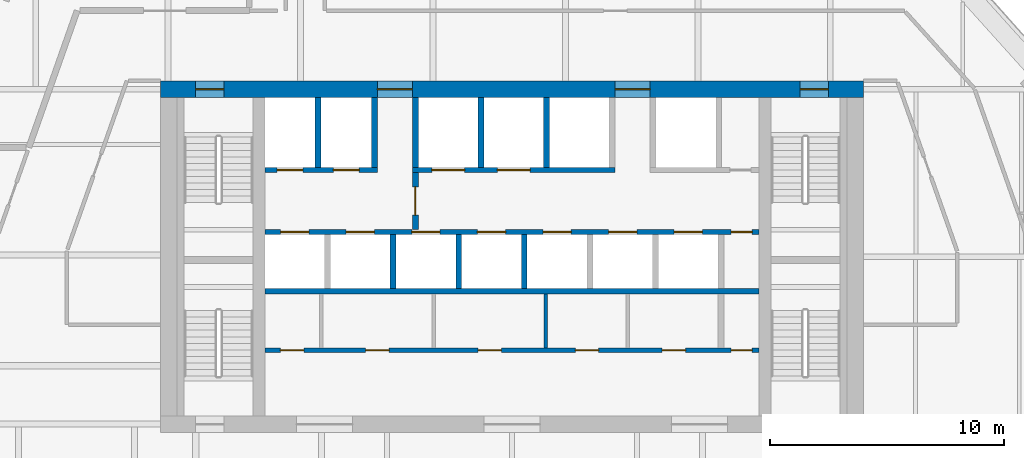
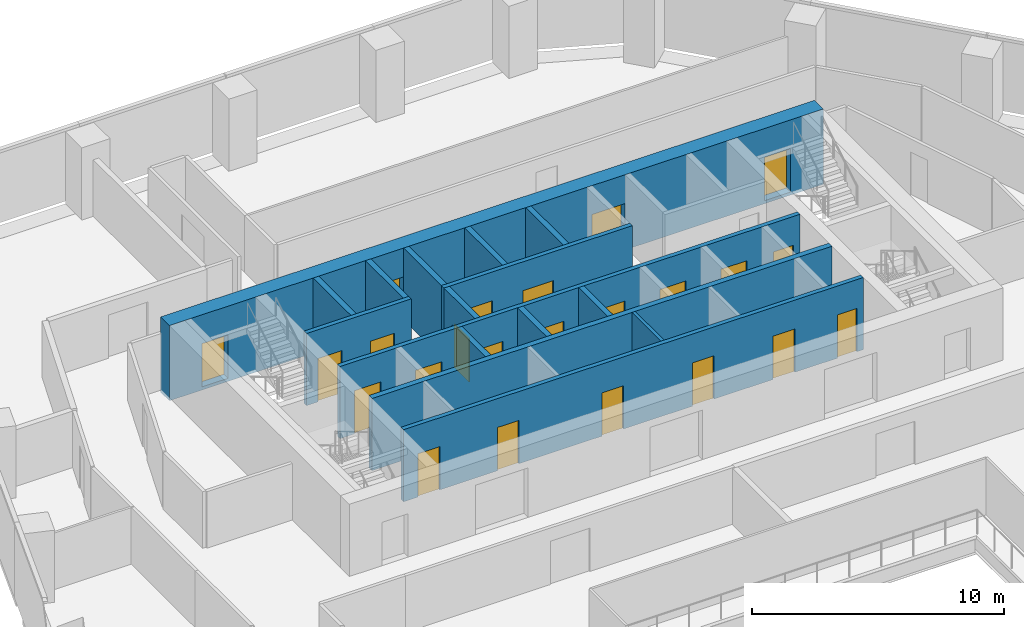
# One storey, part 12 of 17: 23 doors, 16 walls, 23 openings.
"""IFC4 building model written with IfcOpenShell, lengths in metres."""

from ifc_helpers import new_model, si_unit, direction, frame, frame_2d, origin, place, context, subcontext, project, spatial, rectangle, extrude, material, layer, layer_set, type_object, element, fill, save


model = new_model("IFC4")

# Units and contexts
model_context = context("Model", 3, precision=1e-05, world=origin(), true_north=direction((0.0, 1.0)))
body_context = subcontext(model_context, "Body", "Model", "MODEL_VIEW")
ifc_project = project(units=[si_unit("LENGTHUNIT", "METRE"), si_unit("AREAUNIT", "SQUARE_METRE"), si_unit("VOLUMEUNIT", "CUBIC_METRE"), si_unit("PLANEANGLEUNIT", "RADIAN"), si_unit("MASSUNIT", "GRAM", prefix="KILO")], contexts=[model_context])

# Site, building, storey
site_placement = place(None, origin())
site = spatial("IfcSite", under=ifc_project, at=site_placement, CompositionType="ELEMENT")
building_placement = place(site_placement, origin())
building = spatial("IfcBuilding", under=site, at=building_placement, Name="Isthmus Gate Tower", CompositionType="ELEMENT")
storey_placement = place(building_placement, frame((0.0, 0.0, 181.75)))
storey = spatial("IfcBuildingStorey", under=building, at=storey_placement, Name="L45", CompositionType="ELEMENT", Elevation=181.75)

# Wall, opening, door
ifc_material_1 = material(Name="Fire-rated blockwork masonry, 15 MPa", Category="masonry")
ifc_layer_1 = layer(ifc_material_1, 0.25)
ifc_layer_set_1 = layer_set([ifc_layer_1], Name="FIRE-FIGHTING LOBBY WALL 250 90 MIN")
wall_type_1 = type_object("IfcWallType", Name="FIRE-FIGHTING LOBBY WALL 250 90 MIN", PredefinedType="PARTITIONING", material=ifc_layer_set_1)
wall_1_placement = place(storey_placement, frame((-4.125, 8.64990234375, 0.0), z_axis=(0.0, 0.0, 1.0), x_axis=(0.0, 1.0, 0.0)))
wall_1 = element("IfcWall", 1, at=wall_1_placement, inside=storey, type_object=wall_type_1, Name="L45 FIRE-FIGHTING LOBBY WALL 250 90 MIN", PredefinedType="PARTITIONING", context=body_context, shape_type="SweptSolid", body=[
    extrude(rectangle(XDim=2.4501953125, YDim=0.25, at=frame_2d((1.22509765625, 0.0))), origin(), (0.0, 0.0, 1.0), 3.5),
])
opening_1_placement = place(wall_1_placement, frame((0.625, 0.0, 0.0)))
opening_1 = element("IfcOpeningElement", 2, at=opening_1_placement, cuts=wall_1, Name="Opening DC-A12-01", PredefinedType="OPENING", context=body_context, shape_type="SweptSolid", body=[
    extrude(rectangle(XDim=1.199951171875, YDim=2.10009765625, at=frame_2d((0.60009765625, 1.050048828125))), frame((0.0, 0.135009765625, 0.0), z_axis=(0.0, -1.0, 0.0), x_axis=(1.0, 0.0, 0.0)), (0.0, 0.0, 1.0), 0.27001953125),
])
ifc_material_2 = material(Name="Steel door leaf, fire-rated", Category="steel")
door_type_1 = type_object("IfcDoorType", Name="LOBBY FIRE DOOR 1200 X 2100 90 MIN", OperationType="DOUBLE_DOOR_SINGLE_SWING", PredefinedType="DOOR", material=ifc_material_2)
door_1_placement = place(opening_1_placement, origin())
door_1 = element("IfcDoor", 3, at=door_1_placement, inside=storey, type_object=door_type_1, Name="Fire-fighting Lobby Door", OperationType="SINGLE_SWING_LEFT", OverallHeight=2.10009765625, OverallWidth=1.199951171875, PredefinedType="DOOR", context=body_context, shape_type="SweptSolid", body=[
    extrude(rectangle(XDim=1.199951171875, YDim=2.10009765625, at=frame_2d((0.60009765625, 1.050048828125))), frame((0.0, 0.02490234375, 0.0), z_axis=(0.0, -1.0, 0.0), x_axis=(1.0, 0.0, 0.0)), (0.0, 0.0, 1.0), 0.050048828125),
])
fill(opening_1, door_1)

# Wall, openings, doors
ifc_material_3 = material(Name="Concrete f'c 60 MPa", Category="concrete")
ifc_layer_2 = layer(ifc_material_3, 0.699951171875)
ifc_layer_set_2 = layer_set([ifc_layer_2], Name="RC CORE WALL 700 F'C 60")
wall_type_2 = type_object("IfcWallType", Name="RC CORE WALL 700 F'C 60", PredefinedType="SOLIDWALL", material=ifc_layer_set_2)
wall_2_placement = place(storey_placement, frame((-15.0, 14.64990234375, -0.14990234375), z_axis=(0.0, 0.0, 1.0), x_axis=(1.0, 0.0, 0.0)))
wall_2 = element("IfcWall", 4, at=wall_2_placement, inside=storey, type_object=wall_type_2, Name="str-corewall-L45-N", PredefinedType="SOLIDWALL", context=body_context, shape_type="SweptSolid", body=[
    extrude(rectangle(XDim=30.0, YDim=0.699951171875, at=frame_2d((15.0, 0.0))), origin(), (0.0, 0.0, 1.0), 3.64990234375),
])
opening_2_placement = place(wall_2_placement, frame((9.25, 0.0, 0.14990234375)))
opening_2 = element("IfcOpeningElement", 5, at=opening_2_placement, cuts=wall_2, Name="Opening DC-A12-13", PredefinedType="OPENING", context=body_context, shape_type="SweptSolid", body=[
    extrude(rectangle(XDim=1.5, YDim=2.10009765625, at=frame_2d((0.75, 1.050048828125))), frame((0.0, 0.35986328125, 0.0), z_axis=(0.0, -1.0, 0.0), x_axis=(1.0, 0.0, 0.0)), (0.0, 0.0, 1.0), 0.719970703125),
])
opening_3_placement = place(wall_2_placement, frame((19.39990234375, 0.0, 0.14990234375)))
opening_3 = element("IfcOpeningElement", 6, at=opening_3_placement, cuts=wall_2, Name="Opening DC-A12-14", PredefinedType="OPENING", context=body_context, shape_type="SweptSolid", body=[
    extrude(rectangle(XDim=1.5, YDim=2.10009765625, at=frame_2d((0.75, 1.050048828125))), frame((0.0, 0.35986328125, 0.0), z_axis=(0.0, -1.0, 0.0), x_axis=(1.0, 0.0, 0.0)), (0.0, 0.0, 1.0), 0.719970703125),
])
opening_4_placement = place(wall_2_placement, frame((1.5, 0.0, 0.14990234375)))
opening_4 = element("IfcOpeningElement", 7, at=opening_4_placement, cuts=wall_2, Name="Opening DC-A12-15", PredefinedType="OPENING", context=body_context, shape_type="SweptSolid", body=[
    extrude(rectangle(XDim=1.199951171875, YDim=2.10009765625, at=frame_2d((0.60009765625, 1.050048828125))), frame((0.0, 0.35986328125, 0.0), z_axis=(0.0, -1.0, 0.0), x_axis=(1.0, 0.0, 0.0)), (0.0, 0.0, 1.0), 0.719970703125),
])
opening_5_placement = place(wall_2_placement, frame((27.300048828125, 0.0, 0.14990234375)))
opening_5 = element("IfcOpeningElement", 8, at=opening_5_placement, cuts=wall_2, Name="Opening DC-A12-16", PredefinedType="OPENING", context=body_context, shape_type="SweptSolid", body=[
    extrude(rectangle(XDim=1.199951171875, YDim=2.10009765625, at=frame_2d((0.60009765625, 1.050048828125))), frame((0.0, 0.35986328125, 0.0), z_axis=(0.0, -1.0, 0.0), x_axis=(1.0, 0.0, 0.0)), (0.0, 0.0, 1.0), 0.719970703125),
])
ifc_material_4 = material(Name="Steel door leaf, fire-rated", Category="steel")
door_type_2 = type_object("IfcDoorType", Name="LOBBY FIRE DOOR 1500 X 2100 60 MIN", OperationType="DOUBLE_DOOR_SINGLE_SWING", PredefinedType="DOOR", material=ifc_material_4)
door_2_placement = place(opening_3_placement, origin())
door_2 = element("IfcDoor", 9, at=door_2_placement, inside=storey, type_object=door_type_2, Name="Lobby Door PN-E", OperationType="DOUBLE_DOOR_SINGLE_SWING", OverallHeight=2.10009765625, OverallWidth=1.5, PredefinedType="DOOR", context=body_context, shape_type="SweptSolid", body=[
    extrude(rectangle(XDim=1.5, YDim=2.10009765625, at=frame_2d((0.75, 1.050048828125))), frame((0.0, 0.02490234375, 0.0), z_axis=(0.0, -1.0, 0.0), x_axis=(1.0, 0.0, 0.0)), (0.0, 0.0, 1.0), 0.050048828125),
])
fill(opening_3, door_2)
ifc_material_5 = material(Name="Steel door leaf, fire-rated", Category="steel")
door_type_3 = type_object("IfcDoorType", Name="LOBBY FIRE DOOR 1500 X 2100 90 MIN", OperationType="DOUBLE_DOOR_SINGLE_SWING", PredefinedType="DOOR", material=ifc_material_5)
door_3_placement = place(opening_2_placement, origin())
door_3 = element("IfcDoor", 10, at=door_3_placement, inside=storey, type_object=door_type_3, Name="Lobby Door PN-W", OperationType="DOUBLE_DOOR_SINGLE_SWING", OverallHeight=2.10009765625, OverallWidth=1.5, PredefinedType="DOOR", context=body_context, shape_type="SweptSolid", body=[
    extrude(rectangle(XDim=1.5, YDim=2.10009765625, at=frame_2d((0.75, 1.050048828125))), frame((0.0, 0.02490234375, 0.0), z_axis=(0.0, -1.0, 0.0), x_axis=(1.0, 0.0, 0.0)), (0.0, 0.0, 1.0), 0.050048828125),
])
fill(opening_2, door_3)
ifc_material_6 = material(Name="Steel door leaf, fire-rated", Category="steel")
door_type_4 = type_object("IfcDoorType", Name="STAIR FIRE DOOR 1200 X 2100 90 MIN", OperationType="SINGLE_SWING_LEFT", PredefinedType="DOOR", material=ifc_material_6)
door_4_placement = place(opening_4_placement, origin())
door_4 = element("IfcDoor", 11, at=door_4_placement, inside=storey, type_object=door_type_4, Name="Exit Stair 1 Door", OperationType="SINGLE_SWING_RIGHT", OverallHeight=2.10009765625, OverallWidth=1.199951171875, PredefinedType="DOOR", context=body_context, shape_type="SweptSolid", body=[
    extrude(rectangle(XDim=1.199951171875, YDim=2.10009765625, at=frame_2d((0.60009765625, 1.050048828125))), frame((0.0, 0.02490234375, 0.0), z_axis=(0.0, -1.0, 0.0), x_axis=(1.0, 0.0, 0.0)), (0.0, 0.0, 1.0), 0.050048828125),
])
fill(opening_4, door_4)
door_5_placement = place(opening_5_placement, origin())
door_5 = element("IfcDoor", 12, at=door_5_placement, inside=storey, type_object=door_type_4, Name="Exit Stair 2 Door", OperationType="SINGLE_SWING_LEFT", OverallHeight=2.10009765625, OverallWidth=1.199951171875, PredefinedType="DOOR", context=body_context, shape_type="SweptSolid", body=[
    extrude(rectangle(XDim=1.199951171875, YDim=2.10009765625, at=frame_2d((0.60009765625, 1.050048828125))), frame((0.0, 0.02490234375, 0.0), z_axis=(0.0, -1.0, 0.0), x_axis=(1.0, 0.0, 0.0)), (0.0, 0.0, 1.0), 0.050048828125),
])
fill(opening_5, door_5)

# Wall
ifc_material_7 = material(Name="Gypsum board on steel studs, fire-rated", Category="steel")
ifc_layer_3 = layer(ifc_material_7, 0.14990234375)
ifc_layer_set_3 = layer_set([ifc_layer_3], Name="ROOM PARTITION 150 60 MIN")
wall_type_3 = type_object("IfcWallType", Name="ROOM PARTITION 150 60 MIN", PredefinedType="PARTITIONING", material=ifc_layer_set_3)
wall_3_placement = place(storey_placement, frame((1.449951171875, 3.60009765625, 0.0), z_axis=(0.0, 0.0, 1.0), x_axis=(0.0, 1.0, 0.0)))
element("IfcWall", 13, at=wall_3_placement, inside=storey, type_object=wall_type_3, Name="L45 ROOM PARTITION 150 60 MIN", PredefinedType="PARTITIONING", context=body_context, shape_type="SweptSolid", body=[
    extrude(rectangle(XDim=2.2998046875, YDim=0.14990234375, at=frame_2d((1.14990234375, 0.0))), origin(), (0.0, 0.0, 1.0), 3.5),
])

# Wall, openings, doors
ifc_material_8 = material(Name="Fire-rated blockwork masonry, 15 MPa", Category="masonry")
ifc_layer_4 = layer(ifc_material_8, 0.199951171875)
ifc_layer_set_4 = layer_set([ifc_layer_4], Name="SHAFT FRONT WALL 200 120 MIN")
wall_type_4 = type_object("IfcWallType", Name="SHAFT FRONT WALL 200 120 MIN", PredefinedType="PARTITIONING", material=ifc_layer_set_4)
wall_4_placement = place(storey_placement, frame((-10.550048828125, 3.5, 0.0), z_axis=(0.0, 0.0, 1.0), x_axis=(1.0, 0.0, 0.0)))
wall_4 = element("IfcWall", 14, at=wall_4_placement, inside=storey, type_object=wall_type_4, Name="L45 SHAFT FRONT WALL 200 120 MIN", PredefinedType="PARTITIONING", context=body_context, shape_type="SweptSolid", body=[
    extrude(rectangle(XDim=21.10009765625, YDim=0.199951171875, at=frame_2d((10.550048828125, 0.0))), origin(), (0.0, 0.0, 1.0), 3.5),
])
opening_6_placement = place(wall_4_placement, frame((0.66259765625, 0.0, 0.0)))
opening_6 = element("IfcOpeningElement", 15, at=opening_6_placement, cuts=wall_4, Name="Opening DC-A12-02", PredefinedType="OPENING", context=body_context, shape_type="SweptSolid", body=[
    extrude(rectangle(XDim=1.0, YDim=2.10009765625, at=frame_2d((0.5, 1.050048828125))), frame((0.0, 0.10986328125, 0.0), z_axis=(0.0, -1.0, 0.0), x_axis=(1.0, 0.0, 0.0)), (0.0, 0.0, 1.0), 0.219970703125),
])
opening_7_placement = place(wall_4_placement, frame((4.300048828125, 0.0, 0.0)))
opening_7 = element("IfcOpeningElement", 16, at=opening_7_placement, cuts=wall_4, Name="Opening DC-A12-03", PredefinedType="OPENING", context=body_context, shape_type="SweptSolid", body=[
    extrude(rectangle(XDim=1.0, YDim=2.10009765625, at=frame_2d((0.5, 1.050048828125))), frame((0.0, 0.10986328125, 0.0), z_axis=(0.0, -1.0, 0.0), x_axis=(1.0, 0.0, 0.0)), (0.0, 0.0, 1.0), 0.219970703125),
])
opening_8_placement = place(wall_4_placement, frame((9.10009765625, 0.0, 0.0)))
opening_8 = element("IfcOpeningElement", 17, at=opening_8_placement, cuts=wall_4, Name="Opening DC-A12-04", PredefinedType="OPENING", context=body_context, shape_type="SweptSolid", body=[
    extrude(rectangle(XDim=1.0, YDim=2.10009765625, at=frame_2d((0.5, 1.050048828125))), frame((0.0, 0.10986328125, 0.0), z_axis=(0.0, -1.0, 0.0), x_axis=(1.0, 0.0, 0.0)), (0.0, 0.0, 1.0), 0.219970703125),
])
opening_9_placement = place(wall_4_placement, frame((13.25, 0.0, 0.0)))
opening_9 = element("IfcOpeningElement", 18, at=opening_9_placement, cuts=wall_4, Name="Opening DC-A12-05", PredefinedType="OPENING", context=body_context, shape_type="SweptSolid", body=[
    extrude(rectangle(XDim=1.0, YDim=2.10009765625, at=frame_2d((0.5, 1.050048828125))), frame((0.0, 0.10986328125, 0.0), z_axis=(0.0, -1.0, 0.0), x_axis=(1.0, 0.0, 0.0)), (0.0, 0.0, 1.0), 0.219970703125),
])
opening_10_placement = place(wall_4_placement, frame((16.96240234375, 0.0, 0.0)))
opening_10 = element("IfcOpeningElement", 19, at=opening_10_placement, cuts=wall_4, Name="Opening DC-A12-06", PredefinedType="OPENING", context=body_context, shape_type="SweptSolid", body=[
    extrude(rectangle(XDim=1.0, YDim=2.10009765625, at=frame_2d((0.5, 1.050048828125))), frame((0.0, 0.10986328125, 0.0), z_axis=(0.0, -1.0, 0.0), x_axis=(1.0, 0.0, 0.0)), (0.0, 0.0, 1.0), 0.219970703125),
])
opening_11_placement = place(wall_4_placement, frame((19.89990234375, 0.0, 0.0)))
opening_11 = element("IfcOpeningElement", 20, at=opening_11_placement, cuts=wall_4, Name="Opening DC-A12-07", PredefinedType="OPENING", context=body_context, shape_type="SweptSolid", body=[
    extrude(rectangle(XDim=0.89990234375, YDim=2.10009765625, at=frame_2d((0.449951171875, 1.050048828125))), frame((0.0, 0.10986328125, 0.0), z_axis=(0.0, -1.0, 0.0), x_axis=(1.0, 0.0, 0.0)), (0.0, 0.0, 1.0), 0.219970703125),
])
ifc_material_9 = material(Name="Steel door leaf, fire-rated", Category="steel")
door_type_5 = type_object("IfcDoorType", Name="FIRE DOOR 1000 X 2100 60 MIN", OperationType="SINGLE_SWING_LEFT", PredefinedType="DOOR", material=ifc_material_9)
door_6_placement = place(opening_6_placement, origin())
door_6 = element("IfcDoor", 21, at=door_6_placement, inside=storey, type_object=door_type_5, Name="Accessible WC Door", OperationType="SINGLE_SWING_LEFT", OverallHeight=2.10009765625, OverallWidth=1.0, PredefinedType="DOOR", context=body_context, shape_type="SweptSolid", body=[
    extrude(rectangle(XDim=1.0, YDim=2.10009765625, at=frame_2d((0.5, 1.050048828125))), frame((0.0, 0.02490234375, 0.0), z_axis=(0.0, -1.0, 0.0), x_axis=(1.0, 0.0, 0.0)), (0.0, 0.0, 1.0), 0.050048828125),
])
fill(opening_6, door_6)
door_7_placement = place(opening_7_placement, origin())
door_7 = element("IfcDoor", 22, at=door_7_placement, inside=storey, type_object=door_type_5, Name="WC Women Door", OperationType="SINGLE_SWING_RIGHT", OverallHeight=2.10009765625, OverallWidth=1.0, PredefinedType="DOOR", context=body_context, shape_type="SweptSolid", body=[
    extrude(rectangle(XDim=1.0, YDim=2.10009765625, at=frame_2d((0.5, 1.050048828125))), frame((0.0, 0.02490234375, 0.0), z_axis=(0.0, -1.0, 0.0), x_axis=(1.0, 0.0, 0.0)), (0.0, 0.0, 1.0), 0.050048828125),
])
fill(opening_7, door_7)
door_8_placement = place(opening_8_placement, origin())
door_8 = element("IfcDoor", 23, at=door_8_placement, inside=storey, type_object=door_type_5, Name="WC Men Door", OperationType="SINGLE_SWING_LEFT", OverallHeight=2.10009765625, OverallWidth=1.0, PredefinedType="DOOR", context=body_context, shape_type="SweptSolid", body=[
    extrude(rectangle(XDim=1.0, YDim=2.10009765625, at=frame_2d((0.5, 1.050048828125))), frame((0.0, 0.02490234375, 0.0), z_axis=(0.0, -1.0, 0.0), x_axis=(1.0, 0.0, 0.0)), (0.0, 0.0, 1.0), 0.050048828125),
])
fill(opening_8, door_8)
door_9_placement = place(opening_9_placement, origin())
door_9 = element("IfcDoor", 24, at=door_9_placement, inside=storey, type_object=door_type_5, Name="Staff Room Door", OperationType="SINGLE_SWING_RIGHT", OverallHeight=2.10009765625, OverallWidth=1.0, PredefinedType="DOOR", context=body_context, shape_type="SweptSolid", body=[
    extrude(rectangle(XDim=1.0, YDim=2.10009765625, at=frame_2d((0.5, 1.050048828125))), frame((0.0, 0.02490234375, 0.0), z_axis=(0.0, -1.0, 0.0), x_axis=(1.0, 0.0, 0.0)), (0.0, 0.0, 1.0), 0.050048828125),
])
fill(opening_9, door_9)
door_10_placement = place(opening_10_placement, origin())
door_10 = element("IfcDoor", 25, at=door_10_placement, inside=storey, type_object=door_type_5, Name="Stationery Store Door", OperationType="SINGLE_SWING_LEFT", OverallHeight=2.10009765625, OverallWidth=1.0, PredefinedType="DOOR", context=body_context, shape_type="SweptSolid", body=[
    extrude(rectangle(XDim=1.0, YDim=2.10009765625, at=frame_2d((0.5, 1.050048828125))), frame((0.0, 0.02490234375, 0.0), z_axis=(0.0, -1.0, 0.0), x_axis=(1.0, 0.0, 0.0)), (0.0, 0.0, 1.0), 0.050048828125),
])
fill(opening_10, door_10)
ifc_material_10 = material(Name="Steel door leaf, fire-rated", Category="steel")
door_type_6 = type_object("IfcDoorType", Name="RISER FIRE DOOR 900 X 2100 90 MIN", OperationType="SINGLE_SWING_LEFT", PredefinedType="DOOR", material=ifc_material_10)
door_11_placement = place(opening_11_placement, origin())
door_11 = element("IfcDoor", 26, at=door_11_placement, inside=storey, type_object=door_type_6, Name="Riser Door", OperationType="SINGLE_SWING_RIGHT", OverallHeight=2.10009765625, OverallWidth=0.89990234375, PredefinedType="DOOR", context=body_context, shape_type="SweptSolid", body=[
    extrude(rectangle(XDim=0.89990234375, YDim=2.10009765625, at=frame_2d((0.449951171875, 1.050048828125))), frame((0.0, 0.02490234375, 0.0), z_axis=(0.0, -1.0, 0.0), x_axis=(1.0, 0.0, 0.0)), (0.0, 0.0, 1.0), 0.050048828125),
])
fill(opening_11, door_11)

wall_5_placement = place(storey_placement, frame((-10.550048828125, 8.550048828125, 0.0), z_axis=(0.0, 0.0, 1.0), x_axis=(1.0, 0.0, 0.0)))
wall_5 = element("IfcWall", 27, at=wall_5_placement, inside=storey, type_object=wall_type_4, Name="L45 SHAFT FRONT WALL 200 120 MIN", PredefinedType="PARTITIONING", context=body_context, shape_type="SweptSolid", body=[
    extrude(rectangle(XDim=21.10009765625, YDim=0.199951171875, at=frame_2d((10.550048828125, 0.0))), origin(), (0.0, 0.0, 1.0), 3.5),
])
opening_12_placement = place(wall_5_placement, frame((0.675048828125, 0.0, 0.0)))
opening_12 = element("IfcOpeningElement", 28, at=opening_12_placement, cuts=wall_5, Name="Opening LD-LB1", PredefinedType="OPENING", context=body_context, shape_type="SweptSolid", body=[
    extrude(rectangle(XDim=1.199951171875, YDim=2.10009765625, at=frame_2d((0.60009765625, 1.050048828125))), frame((0.0, 0.10986328125, 0.0), z_axis=(0.0, -1.0, 0.0), x_axis=(1.0, 0.0, 0.0)), (0.0, 0.0, 1.0), 0.219970703125),
])
opening_13_placement = place(wall_5_placement, frame((3.47509765625, 0.0, 0.0)))
opening_13 = element("IfcOpeningElement", 29, at=opening_13_placement, cuts=wall_5, Name="Opening LD-LB2", PredefinedType="OPENING", context=body_context, shape_type="SweptSolid", body=[
    extrude(rectangle(XDim=1.199951171875, YDim=2.10009765625, at=frame_2d((0.60009765625, 1.050048828125))), frame((0.0, 0.10986328125, 0.0), z_axis=(0.0, -1.0, 0.0), x_axis=(1.0, 0.0, 0.0)), (0.0, 0.0, 1.0), 0.219970703125),
])
opening_14_placement = place(wall_5_placement, frame((6.27490234375, 0.0, 0.0)))
opening_14 = element("IfcOpeningElement", 30, at=opening_14_placement, cuts=wall_5, Name="Opening LD-LB3", PredefinedType="OPENING", context=body_context, shape_type="SweptSolid", body=[
    extrude(rectangle(XDim=1.199951171875, YDim=2.10009765625, at=frame_2d((0.60009765625, 1.050048828125))), frame((0.0, 0.10986328125, 0.0), z_axis=(0.0, -1.0, 0.0), x_axis=(1.0, 0.0, 0.0)), (0.0, 0.0, 1.0), 0.219970703125),
])
opening_15_placement = place(wall_5_placement, frame((9.074951171875, 0.0, 0.0)))
opening_15 = element("IfcOpeningElement", 31, at=opening_15_placement, cuts=wall_5, Name="Opening LD-LB4", PredefinedType="OPENING", context=body_context, shape_type="SweptSolid", body=[
    extrude(rectangle(XDim=1.199951171875, YDim=2.10009765625, at=frame_2d((0.60009765625, 1.050048828125))), frame((0.0, 0.10986328125, 0.0), z_axis=(0.0, -1.0, 0.0), x_axis=(1.0, 0.0, 0.0)), (0.0, 0.0, 1.0), 0.219970703125),
])
opening_16_placement = place(wall_5_placement, frame((11.875, 0.0, 0.0)))
opening_16 = element("IfcOpeningElement", 32, at=opening_16_placement, cuts=wall_5, Name="Opening LD-LB5", PredefinedType="OPENING", context=body_context, shape_type="SweptSolid", body=[
    extrude(rectangle(XDim=1.199951171875, YDim=2.10009765625, at=frame_2d((0.60009765625, 1.050048828125))), frame((0.0, 0.10986328125, 0.0), z_axis=(0.0, -1.0, 0.0), x_axis=(1.0, 0.0, 0.0)), (0.0, 0.0, 1.0), 0.219970703125),
])
opening_17_placement = place(wall_5_placement, frame((14.675048828125, 0.0, 0.0)))
opening_17 = element("IfcOpeningElement", 33, at=opening_17_placement, cuts=wall_5, Name="Opening LD-LB6", PredefinedType="OPENING", context=body_context, shape_type="SweptSolid", body=[
    extrude(rectangle(XDim=1.199951171875, YDim=2.10009765625, at=frame_2d((0.60009765625, 1.050048828125))), frame((0.0, 0.10986328125, 0.0), z_axis=(0.0, -1.0, 0.0), x_axis=(1.0, 0.0, 0.0)), (0.0, 0.0, 1.0), 0.219970703125),
])
opening_18_placement = place(wall_5_placement, frame((17.47509765625, 0.0, 0.0)))
opening_18 = element("IfcOpeningElement", 34, at=opening_18_placement, cuts=wall_5, Name="Opening LD-LB7", PredefinedType="OPENING", context=body_context, shape_type="SweptSolid", body=[
    extrude(rectangle(XDim=1.199951171875, YDim=2.10009765625, at=frame_2d((0.60009765625, 1.050048828125))), frame((0.0, 0.10986328125, 0.0), z_axis=(0.0, -1.0, 0.0), x_axis=(1.0, 0.0, 0.0)), (0.0, 0.0, 1.0), 0.219970703125),
])
opening_19_placement = place(wall_5_placement, frame((19.89990234375, 0.0, 0.0)))
opening_19 = element("IfcOpeningElement", 35, at=opening_19_placement, cuts=wall_5, Name="Opening DC-A12-08", PredefinedType="OPENING", context=body_context, shape_type="SweptSolid", body=[
    extrude(rectangle(XDim=0.89990234375, YDim=2.10009765625, at=frame_2d((0.449951171875, 1.050048828125))), frame((0.0, 0.10986328125, 0.0), z_axis=(0.0, -1.0, 0.0), x_axis=(1.0, 0.0, 0.0)), (0.0, 0.0, 1.0), 0.219970703125),
])
ifc_material_11 = material(Name="Stainless steel sliding leaf", Category="steel")
door_type_7 = type_object("IfcDoorType", Name="LIFT LANDING FIRE DOOR 1200 X 2100 90 MIN", OperationType="DOUBLE_DOOR_SLIDING", PredefinedType="DOOR", material=ifc_material_11)
door_12_placement = place(opening_12_placement, origin())
door_12 = element("IfcDoor", 36, at=door_12_placement, inside=storey, type_object=door_type_7, Name="Lift Landing Door LB1", OperationType="DOUBLE_DOOR_SLIDING", OverallHeight=2.10009765625, OverallWidth=1.199951171875, PredefinedType="DOOR", context=body_context, shape_type="SweptSolid", body=[
    extrude(rectangle(XDim=1.199951171875, YDim=2.10009765625, at=frame_2d((0.60009765625, 1.050048828125))), frame((0.0, 0.02490234375, 0.0), z_axis=(0.0, -1.0, 0.0), x_axis=(1.0, 0.0, 0.0)), (0.0, 0.0, 1.0), 0.050048828125),
])
fill(opening_12, door_12)
door_13_placement = place(opening_13_placement, origin())
door_13 = element("IfcDoor", 37, at=door_13_placement, inside=storey, type_object=door_type_7, Name="Lift Landing Door LB2", OperationType="DOUBLE_DOOR_SLIDING", OverallHeight=2.10009765625, OverallWidth=1.199951171875, PredefinedType="DOOR", context=body_context, shape_type="SweptSolid", body=[
    extrude(rectangle(XDim=1.199951171875, YDim=2.10009765625, at=frame_2d((0.60009765625, 1.050048828125))), frame((0.0, 0.02490234375, 0.0), z_axis=(0.0, -1.0, 0.0), x_axis=(1.0, 0.0, 0.0)), (0.0, 0.0, 1.0), 0.050048828125),
])
fill(opening_13, door_13)
door_14_placement = place(opening_14_placement, origin())
door_14 = element("IfcDoor", 38, at=door_14_placement, inside=storey, type_object=door_type_7, Name="Lift Landing Door LB3", OperationType="DOUBLE_DOOR_SLIDING", OverallHeight=2.10009765625, OverallWidth=1.199951171875, PredefinedType="DOOR", context=body_context, shape_type="SweptSolid", body=[
    extrude(rectangle(XDim=1.199951171875, YDim=2.10009765625, at=frame_2d((0.60009765625, 1.050048828125))), frame((0.0, 0.02490234375, 0.0), z_axis=(0.0, -1.0, 0.0), x_axis=(1.0, 0.0, 0.0)), (0.0, 0.0, 1.0), 0.050048828125),
])
fill(opening_14, door_14)
door_15_placement = place(opening_15_placement, origin())
door_15 = element("IfcDoor", 39, at=door_15_placement, inside=storey, type_object=door_type_7, Name="Lift Landing Door LB4", OperationType="DOUBLE_DOOR_SLIDING", OverallHeight=2.10009765625, OverallWidth=1.199951171875, PredefinedType="DOOR", context=body_context, shape_type="SweptSolid", body=[
    extrude(rectangle(XDim=1.199951171875, YDim=2.10009765625, at=frame_2d((0.60009765625, 1.050048828125))), frame((0.0, 0.02490234375, 0.0), z_axis=(0.0, -1.0, 0.0), x_axis=(1.0, 0.0, 0.0)), (0.0, 0.0, 1.0), 0.050048828125),
])
fill(opening_15, door_15)
door_16_placement = place(opening_16_placement, origin())
door_16 = element("IfcDoor", 40, at=door_16_placement, inside=storey, type_object=door_type_7, Name="Lift Landing Door LB5", OperationType="DOUBLE_DOOR_SLIDING", OverallHeight=2.10009765625, OverallWidth=1.199951171875, PredefinedType="DOOR", context=body_context, shape_type="SweptSolid", body=[
    extrude(rectangle(XDim=1.199951171875, YDim=2.10009765625, at=frame_2d((0.60009765625, 1.050048828125))), frame((0.0, 0.02490234375, 0.0), z_axis=(0.0, -1.0, 0.0), x_axis=(1.0, 0.0, 0.0)), (0.0, 0.0, 1.0), 0.050048828125),
])
fill(opening_16, door_16)
door_17_placement = place(opening_17_placement, origin())
door_17 = element("IfcDoor", 41, at=door_17_placement, inside=storey, type_object=door_type_7, Name="Lift Landing Door LB6", OperationType="DOUBLE_DOOR_SLIDING", OverallHeight=2.10009765625, OverallWidth=1.199951171875, PredefinedType="DOOR", context=body_context, shape_type="SweptSolid", body=[
    extrude(rectangle(XDim=1.199951171875, YDim=2.10009765625, at=frame_2d((0.60009765625, 1.050048828125))), frame((0.0, 0.02490234375, 0.0), z_axis=(0.0, -1.0, 0.0), x_axis=(1.0, 0.0, 0.0)), (0.0, 0.0, 1.0), 0.050048828125),
])
fill(opening_17, door_17)
door_18_placement = place(opening_18_placement, origin())
door_18 = element("IfcDoor", 42, at=door_18_placement, inside=storey, type_object=door_type_7, Name="Lift Landing Door LB7", OperationType="DOUBLE_DOOR_SLIDING", OverallHeight=2.10009765625, OverallWidth=1.199951171875, PredefinedType="DOOR", context=body_context, shape_type="SweptSolid", body=[
    extrude(rectangle(XDim=1.199951171875, YDim=2.10009765625, at=frame_2d((0.60009765625, 1.050048828125))), frame((0.0, 0.02490234375, 0.0), z_axis=(0.0, -1.0, 0.0), x_axis=(1.0, 0.0, 0.0)), (0.0, 0.0, 1.0), 0.050048828125),
])
fill(opening_18, door_18)
door_19_placement = place(opening_19_placement, origin())
door_19 = element("IfcDoor", 43, at=door_19_placement, inside=storey, type_object=door_type_6, Name="Riser Door", OperationType="SINGLE_SWING_RIGHT", OverallHeight=2.10009765625, OverallWidth=0.89990234375, PredefinedType="DOOR", context=body_context, shape_type="SweptSolid", body=[
    extrude(rectangle(XDim=0.89990234375, YDim=2.10009765625, at=frame_2d((0.449951171875, 1.050048828125))), frame((0.0, 0.02490234375, 0.0), z_axis=(0.0, -1.0, 0.0), x_axis=(1.0, 0.0, 0.0)), (0.0, 0.0, 1.0), 0.050048828125),
])
fill(opening_19, door_19)

wall_6_placement = place(storey_placement, frame((-10.550048828125, 11.199951171875, 0.0), z_axis=(0.0, 0.0, 1.0), x_axis=(1.0, 0.0, 0.0)))
wall_6 = element("IfcWall", 44, at=wall_6_placement, inside=storey, type_object=wall_type_4, Name="L45 SHAFT FRONT WALL 200 120 MIN", PredefinedType="PARTITIONING", context=body_context, shape_type="SweptSolid", body=[
    extrude(rectangle(XDim=4.800048828125, YDim=0.199951171875, at=frame_2d((2.39990234375, 0.0))), origin(), (0.0, 0.0, 1.0), 3.5),
])
opening_20_placement = place(wall_6_placement, frame((0.52490234375, 0.0, 0.0)))
opening_20 = element("IfcOpeningElement", 45, at=opening_20_placement, cuts=wall_6, Name="Opening LD-LF1", PredefinedType="OPENING", context=body_context, shape_type="SweptSolid", body=[
    extrude(rectangle(XDim=1.10009765625, YDim=2.10009765625, at=frame_2d((0.550048828125, 1.050048828125))), frame((0.0, 0.10986328125, 0.0), z_axis=(0.0, -1.0, 0.0), x_axis=(1.0, 0.0, 0.0)), (0.0, 0.0, 1.0), 0.219970703125),
])
opening_21_placement = place(wall_6_placement, frame((2.925048828125, 0.0, 0.0)))
opening_21 = element("IfcOpeningElement", 46, at=opening_21_placement, cuts=wall_6, Name="Opening LD-LF2", PredefinedType="OPENING", context=body_context, shape_type="SweptSolid", body=[
    extrude(rectangle(XDim=1.10009765625, YDim=2.10009765625, at=frame_2d((0.550048828125, 1.050048828125))), frame((0.0, 0.10986328125, 0.0), z_axis=(0.0, -1.0, 0.0), x_axis=(1.0, 0.0, 0.0)), (0.0, 0.0, 1.0), 0.219970703125),
])
ifc_material_12 = material(Name="Stainless steel sliding leaf", Category="steel")
door_type_8 = type_object("IfcDoorType", Name="LIFT LANDING FIRE DOOR 1100 X 2100 90 MIN", OperationType="DOUBLE_DOOR_SLIDING", PredefinedType="DOOR", material=ifc_material_12)
door_20_placement = place(opening_20_placement, origin())
door_20 = element("IfcDoor", 47, at=door_20_placement, inside=storey, type_object=door_type_8, Name="Lift Landing Door LF1", OperationType="DOUBLE_DOOR_SLIDING", OverallHeight=2.10009765625, OverallWidth=1.10009765625, PredefinedType="DOOR", context=body_context, shape_type="SweptSolid", body=[
    extrude(rectangle(XDim=1.10009765625, YDim=2.10009765625, at=frame_2d((0.550048828125, 1.050048828125))), frame((0.0, 0.02490234375, 0.0), z_axis=(0.0, -1.0, 0.0), x_axis=(1.0, 0.0, 0.0)), (0.0, 0.0, 1.0), 0.050048828125),
])
fill(opening_20, door_20)
door_21_placement = place(opening_21_placement, origin())
door_21 = element("IfcDoor", 48, at=door_21_placement, inside=storey, type_object=door_type_8, Name="Lift Landing Door LF2", OperationType="DOUBLE_DOOR_SLIDING", OverallHeight=2.10009765625, OverallWidth=1.10009765625, PredefinedType="DOOR", context=body_context, shape_type="SweptSolid", body=[
    extrude(rectangle(XDim=1.10009765625, YDim=2.10009765625, at=frame_2d((0.550048828125, 1.050048828125))), frame((0.0, 0.02490234375, 0.0), z_axis=(0.0, -1.0, 0.0), x_axis=(1.0, 0.0, 0.0)), (0.0, 0.0, 1.0), 0.050048828125),
])
fill(opening_21, door_21)

wall_7_placement = place(storey_placement, frame((-4.25, 11.199951171875, 0.0), z_axis=(0.0, 0.0, 1.0), x_axis=(1.0, 0.0, 0.0)))
wall_7 = element("IfcWall", 49, at=wall_7_placement, inside=storey, type_object=wall_type_4, Name="L45 SHAFT FRONT WALL 200 120 MIN", PredefinedType="PARTITIONING", context=body_context, shape_type="SweptSolid", body=[
    extrude(rectangle(XDim=8.64990234375, YDim=0.199951171875, at=frame_2d((4.324951171875, 0.0))), origin(), (0.0, 0.0, 1.0), 3.5),
])
opening_22_placement = place(wall_7_placement, frame((0.824951171875, 0.0, 0.0)))
opening_22 = element("IfcOpeningElement", 50, at=opening_22_placement, cuts=wall_7, Name="Opening LD-LV1", PredefinedType="OPENING", context=body_context, shape_type="SweptSolid", body=[
    extrude(rectangle(XDim=1.39990234375, YDim=2.10009765625, at=frame_2d((0.699951171875, 1.050048828125))), frame((0.0, 0.10986328125, 0.0), z_axis=(0.0, -1.0, 0.0), x_axis=(1.0, 0.0, 0.0)), (0.0, 0.0, 1.0), 0.219970703125),
])
opening_23_placement = place(wall_7_placement, frame((3.625, 0.0, 0.0)))
opening_23 = element("IfcOpeningElement", 51, at=opening_23_placement, cuts=wall_7, Name="Opening LD-LV2", PredefinedType="OPENING", context=body_context, shape_type="SweptSolid", body=[
    extrude(rectangle(XDim=1.39990234375, YDim=2.10009765625, at=frame_2d((0.699951171875, 1.050048828125))), frame((0.0, 0.10986328125, 0.0), z_axis=(0.0, -1.0, 0.0), x_axis=(1.0, 0.0, 0.0)), (0.0, 0.0, 1.0), 0.219970703125),
])
ifc_material_13 = material(Name="Stainless steel sliding leaf", Category="steel")
door_type_9 = type_object("IfcDoorType", Name="LIFT LANDING FIRE DOOR 1400 X 2100 90 MIN", OperationType="DOUBLE_DOOR_SLIDING", PredefinedType="DOOR", material=ifc_material_13)
door_22_placement = place(opening_22_placement, origin())
door_22 = element("IfcDoor", 52, at=door_22_placement, inside=storey, type_object=door_type_9, Name="Lift Landing Door LV1", OperationType="DOUBLE_DOOR_SLIDING", OverallHeight=2.10009765625, OverallWidth=1.39990234375, PredefinedType="DOOR", context=body_context, shape_type="SweptSolid", body=[
    extrude(rectangle(XDim=1.39990234375, YDim=2.10009765625, at=frame_2d((0.699951171875, 1.050048828125))), frame((0.0, 0.02490234375, 0.0), z_axis=(0.0, -1.0, 0.0), x_axis=(1.0, 0.0, 0.0)), (0.0, 0.0, 1.0), 0.050048828125),
])
fill(opening_22, door_22)
door_23_placement = place(opening_23_placement, origin())
door_23 = element("IfcDoor", 53, at=door_23_placement, inside=storey, type_object=door_type_9, Name="Lift Landing Door LV2", OperationType="DOUBLE_DOOR_SLIDING", OverallHeight=2.10009765625, OverallWidth=1.39990234375, PredefinedType="DOOR", context=body_context, shape_type="SweptSolid", body=[
    extrude(rectangle(XDim=1.39990234375, YDim=2.10009765625, at=frame_2d((0.699951171875, 1.050048828125))), frame((0.0, 0.02490234375, 0.0), z_axis=(0.0, -1.0, 0.0), x_axis=(1.0, 0.0, 0.0)), (0.0, 0.0, 1.0), 0.050048828125),
])
fill(opening_23, door_23)

# Walls
ifc_material_14 = material(Name="Fire-rated blockwork masonry, 15 MPa", Category="masonry")
ifc_layer_5 = layer(ifc_material_14, 0.25)
ifc_layer_set_5 = layer_set([ifc_layer_5], Name="SHAFT WALL 250 120 MIN")
wall_type_5 = type_object("IfcWallType", Name="SHAFT WALL 250 120 MIN", PredefinedType="PARTITIONING", material=ifc_layer_set_5)
wall_8_placement = place(storey_placement, frame((-10.550048828125, 6.02490234375, 0.0), z_axis=(0.0, 0.0, 1.0), x_axis=(1.0, 0.0, 0.0)))
element("IfcWall", 54, at=wall_8_placement, inside=storey, type_object=wall_type_5, Name="L45 SHAFT WALL 250 120 MIN", PredefinedType="PARTITIONING", context=body_context, shape_type="SweptSolid", body=[
    extrude(rectangle(XDim=21.10009765625, YDim=0.25, at=frame_2d((10.550048828125, 0.0))), origin(), (0.0, 0.0, 1.0), 3.5),
])
for number, where, z_axis, x_axis, name in (
    (55, (-5.074951171875, 6.14990234375, 0.0), (0.0, 0.0, 1.0), (0.0, 1.0, 0.0), "L45 SHAFT WALL 250 120 MIN"),
    (56, (-2.27490234375, 6.14990234375, 0.0), (0.0, 0.0, 1.0), (0.0, 1.0, 0.0), "L45 SHAFT WALL 250 120 MIN"),
    (57, (0.52490234375, 6.14990234375, 0.0), (0.0, 0.0, 1.0), (0.0, 1.0, 0.0), "L45 SHAFT WALL 250 120 MIN"),
):
    element("IfcWall", number, at=place(storey_placement, frame(where, z_axis=z_axis, x_axis=x_axis)), inside=storey, type_object=wall_type_5, Name=name, PredefinedType="PARTITIONING", context=body_context, shape_type="SweptSolid", body=[
        extrude(rectangle(XDim=2.300048828125, YDim=0.25, at=frame_2d((1.14990234375, 0.0))), origin(), (0.0, 0.0, 1.0), 3.5),
    ])
for number, where, z_axis, x_axis, name in (
    (58, (-8.27490234375, 11.300048828125, 0.0), (0.0, 0.0, 1.0), (0.0, 1.0, 0.0), "L45 SHAFT WALL 250 120 MIN"),
    (59, (-5.875, 11.300048828125, 0.0), (0.0, 0.0, 1.0), (0.0, 1.0, 0.0), "L45 SHAFT WALL 250 120 MIN"),
    (60, (-4.125, 11.300048828125, 0.0), (0.0, 0.0, 1.0), (0.0, 1.0, 0.0), "L45 SHAFT WALL 250 120 MIN"),
    (61, (-1.324951171875, 11.300048828125, 0.0), (0.0, 0.0, 1.0), (0.0, 1.0, 0.0), "L45 SHAFT WALL 250 120 MIN"),
    (62, (1.47509765625, 11.300048828125, 0.0), (0.0, 0.0, 1.0), (0.0, 1.0, 0.0), "L45 SHAFT WALL 250 120 MIN"),
):
    element("IfcWall", number, at=place(storey_placement, frame(where, z_axis=z_axis, x_axis=x_axis)), inside=storey, type_object=wall_type_5, Name=name, PredefinedType="PARTITIONING", context=body_context, shape_type="SweptSolid", body=[
        extrude(rectangle(XDim=3.0, YDim=0.25, at=frame_2d((1.5, 0.0))), origin(), (0.0, 0.0, 1.0), 3.5),
    ])

save(model, "model.ifc")
